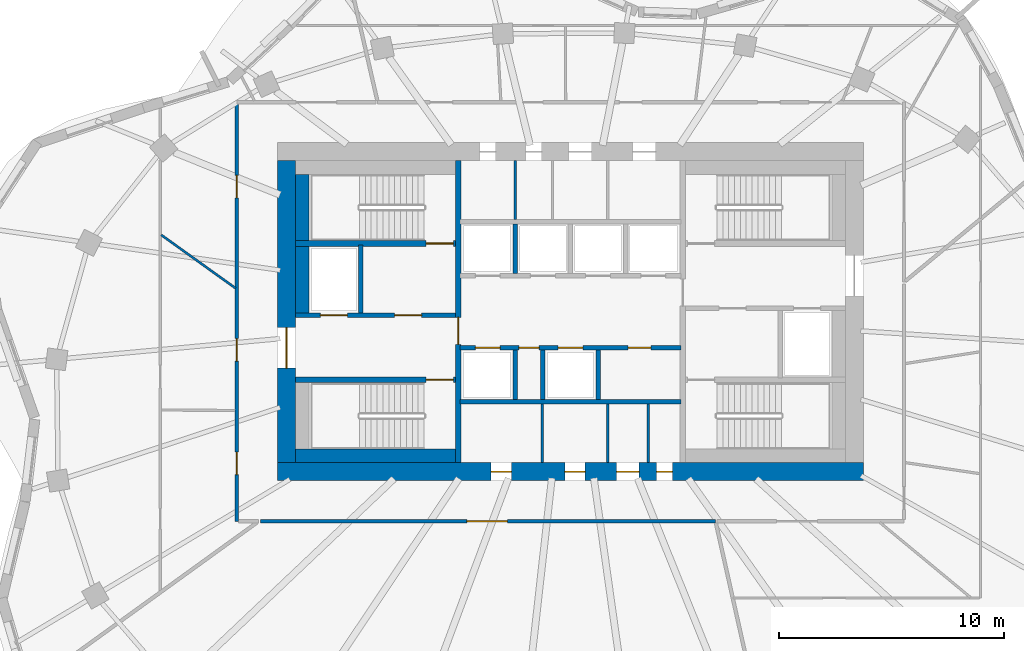
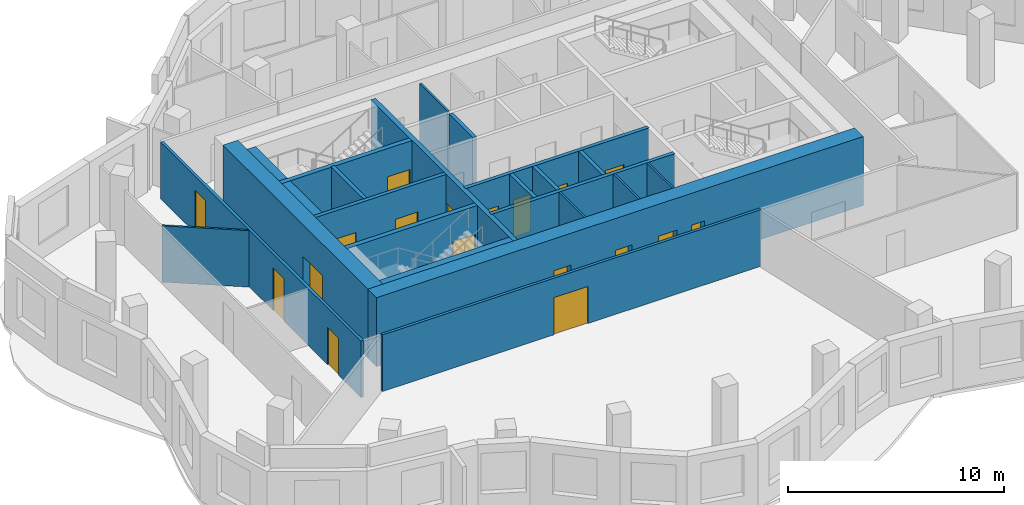
# One storey, part 4 of 9: 23 walls, 18 doors, 18 openings.
"""IFC4 building model written with IfcOpenShell, lengths in metres."""

import ifcopenshell
import ifcopenshell.guid

model = None  # the IFC model being written
_history = None  # IfcOwnerHistory: only IFC2X3 demands one
_inside = {}  # id of a spatial element -> (the spatial element, [elements in it])
_under = {}  # id of a project, library or spatial element -> (it, [spatial elements below it])
_declared = {}  # id of a project -> (the project, [libraries it declares])
_typed = {}  # id of a type object -> (the type object, [elements of that type])
_made_of = {}  # id of a material, layer set ... -> (it, [elements and type objects made of it])


def new_model(schema):
    """Start an empty IFC model of exactly this schema.

    Asked for "IFC4X3", IfcOpenShell would pick the latest addendum, in which some entities
    have other attributes; the version numbers below select the first issue.
    IFC2X3 requires an IfcOwnerHistory on every rooted entity: one is made here for all.
    """
    global model, _history
    if schema == "IFC4X3":
        model = ifcopenshell.file(schema_version=(4, 3, 0, 0))
    else:
        model = ifcopenshell.file(schema=schema)
    _inside.clear()
    _under.clear()
    _declared.clear()
    _typed.clear()
    _made_of.clear()
    _history = None
    if model.schema == "IFC2X3":
        org = make("IfcOrganization", Name="unknown")
        user = make(
            "IfcPersonAndOrganization",
            ThePerson=make("IfcPerson", FamilyName="unknown"),
            TheOrganization=org,
        )
        app = make(
            "IfcApplication",
            ApplicationDeveloper=org,
            Version="unknown",
            ApplicationFullName="unknown",
            ApplicationIdentifier="unknown",
        )
        _history = make(
            "IfcOwnerHistory",
            OwningUser=user,
            OwningApplication=app,
            ChangeAction="ADDED",
            CreationDate=0,
        )
    return model


def make(cls, **values):
    """One entity of the class cls with the attributes given. An attribute that is None is left unset."""
    return model.create_entity(
        cls, **{name: value for name, value in values.items() if value is not None}
    )


def rooted(cls, **values):
    """An entity with a GlobalId (a new one), such as an element, a storey or a relation."""
    return make(cls, GlobalId=ifcopenshell.guid.new(), OwnerHistory=_history, **values)


def si_unit(unit_type, name, prefix=None):
    """IfcSIUnit, for example si_unit("LENGTHUNIT", "METRE", prefix="MILLI")."""
    return make("IfcSIUnit", UnitType=unit_type, Prefix=prefix, Name=name)


def assignment(units):
    """IfcUnitAssignment: the units of a project."""
    return None if units is None else make("IfcUnitAssignment", Units=units)


def point(xyz):
    """IfcCartesianPoint."""
    return None if xyz is None else make("IfcCartesianPoint", Coordinates=xyz)


def direction(xyz):
    """IfcDirection."""
    return None if xyz is None else make("IfcDirection", DirectionRatios=xyz)


def frame(location, z_axis=None, x_axis=None):
    """IfcAxis2Placement3D, a coordinate frame: its origin and axes. An axis left out is left unset."""
    return make(
        "IfcAxis2Placement3D",
        Location=point(location),
        Axis=direction(z_axis),
        RefDirection=direction(x_axis),
    )


def frame_2d(location, x_axis=None):
    """IfcAxis2Placement2D, a coordinate frame in the plane: its origin and x axis."""
    return make(
        "IfcAxis2Placement2D", Location=point(location), RefDirection=direction(x_axis)
    )


def origin():
    """The frame at (0, 0, 0) with its axes left unset."""
    return frame((0.0, 0.0, 0.0))


def place(relative_to, where):
    """IfcLocalPlacement: puts the frame where relative to a parent placement (None: the world)."""
    return make(
        "IfcLocalPlacement", PlacementRelTo=relative_to, RelativePlacement=where
    )


def context(
    kind, dimensions, precision=None, world=None, true_north=None, identifier=None
):
    """IfcGeometricRepresentationContext, for example the 3D "Model" context."""
    return make(
        "IfcGeometricRepresentationContext",
        ContextIdentifier=identifier,
        ContextType=kind,
        CoordinateSpaceDimension=dimensions,
        Precision=precision,
        WorldCoordinateSystem=world,
        TrueNorth=true_north,
    )


def subcontext(parent, identifier, kind, view, scale=None):
    """IfcGeometricRepresentationSubContext, for example "Body" below "Model"."""
    return make(
        "IfcGeometricRepresentationSubContext",
        ContextIdentifier=identifier,
        ContextType=kind,
        ParentContext=parent,
        TargetScale=scale,
        TargetView=view,
    )


def project(units=None, contexts=None):
    """IfcProject with its units and contexts."""
    return rooted(
        "IfcProject",
        Name="project",
        RepresentationContexts=contexts,
        UnitsInContext=assignment(units),
    )


def spatial(cls, under=None, at=None, **own):
    """A site, building, storey or space (cls), placed at a placement, below another one or the project."""
    s = rooted(cls, ObjectPlacement=at, **own)
    if under is not None:
        _under.setdefault(under.id(), (under, []))[1].append(s)
    return s


def profile(cls, at=None, kind="AREA", **sizes):
    """A parametric profile (cls). Its sizes go by their IFC names, for example OverallWidth=200.0."""
    return make(cls, ProfileType=kind, Position=at, **sizes)


def rectangle(**sizes):
    """IfcRectangleProfileDef."""
    return profile("IfcRectangleProfileDef", **sizes)


def extrude(swept, where, along, depth):
    """IfcExtrudedAreaSolid: the profile swept, set in the frame where, extruded along a direction by depth."""
    return make(
        "IfcExtrudedAreaSolid",
        SweptArea=swept,
        Position=where,
        ExtrudedDirection=direction(along),
        Depth=depth,
    )


def shape(context_of_items, identifier, shape_type, items):
    """IfcShapeRepresentation: the items that make up one representation, for example the "Body"."""
    return make(
        "IfcShapeRepresentation",
        ContextOfItems=context_of_items,
        RepresentationIdentifier=identifier,
        RepresentationType=shape_type,
        Items=items,
    )


def material(Name=None, Category=None):
    """IfcMaterial."""
    return make("IfcMaterial", Name=Name, Category=Category)


def layer(
    of_material, thickness, ventilated=None, Name=None, Category=None, Priority=None
):
    """IfcMaterialLayer: one layer of a wall or slab, of a material (None: an air gap)."""
    return make(
        "IfcMaterialLayer",
        Material=of_material,
        LayerThickness=thickness,
        IsVentilated=ventilated,
        Name=Name,
        Category=Category,
        Priority=Priority,
    )


def layer_set(layers, Name=None):
    """IfcMaterialLayerSet."""
    return make("IfcMaterialLayerSet", MaterialLayers=layers, LayerSetName=Name)


def made_of(thing, what):
    """Note that an element or type object is made of a material, layer set ...; save() writes the relation."""
    if what is not None:
        _made_of.setdefault(what.id(), (what, []))[1].append(thing)
    return thing


def type_object(cls, material=None, **own):
    """A type object (cls), such as IfcWallType, which elements share."""
    return made_of(rooted(cls, **own), material)


def element(
    cls,
    number,
    at=None,
    inside=None,
    cuts=None,
    type_object=None,
    material=None,
    context=None,
    identifier="Body",
    shape_type=None,
    held_by="IfcProductDefinitionShape",
    body=None,
    shapes=None,
    **own,
):
    """One element of the class cls, such as IfcWall. Its Tag is "e" and its number.

    at: its placement. inside: the storey or other place that contains it. cuts: it is an
    opening in that element (IfcRelVoidsElement). A single representation is given by context,
    identifier, shape_type and body (its items); several are given by shapes. held_by: the class
    of the entity that holds the representations. save() writes the other relations.
    """
    e = rooted(cls, Tag="e%d" % number, ObjectPlacement=at, **own)
    if body is not None:
        shapes = [shape(context, identifier, shape_type, body)]
    if shapes is not None:
        e.Representation = make(held_by, Representations=shapes)
    if inside is not None:
        _inside.setdefault(inside.id(), (inside, []))[1].append(e)
    if cuts is not None:
        rooted(
            "IfcRelVoidsElement", RelatingBuildingElement=cuts, RelatedOpeningElement=e
        )
    if type_object is not None:
        _typed.setdefault(type_object.id(), (type_object, []))[1].append(e)
    return made_of(e, material)


def fill(opening, filler):
    """IfcRelFillsElement: the door or window that sits in an opening."""
    return rooted(
        "IfcRelFillsElement",
        RelatingOpeningElement=opening,
        RelatedBuildingElement=filler,
    )


def aggregate(whole, parts):
    """IfcRelAggregates: a whole, such as a stair, and the parts it consists of."""
    return rooted("IfcRelAggregates", RelatingObject=whole, RelatedObjects=parts)


def save(model, path):
    """Write the relations noted so far, then the file.

    IfcRelAggregates (storeys below a building ...), IfcRelContainedInSpatialStructure (elements
    in a storey), IfcRelDefinesByType, IfcRelAssociatesMaterial and IfcRelDeclares: one each for
    every whole, place, type object, material and project.
    """
    for whole, parts in _under.values():
        aggregate(whole, parts)
    for where, things in _inside.values():
        rooted(
            "IfcRelContainedInSpatialStructure",
            RelatedElements=things,
            RelatingStructure=where,
        )
    for kind, things in _typed.values():
        rooted("IfcRelDefinesByType", RelatedObjects=things, RelatingType=kind)
    for what, things in _made_of.values():
        rooted("IfcRelAssociatesMaterial", RelatedObjects=things, RelatingMaterial=what)
    for by, libraries in _declared.values():
        rooted("IfcRelDeclares", RelatingContext=by, RelatedDefinitions=libraries)
    model.write(path)


model = new_model("IFC4")

# Units and contexts
model_context = context("Model", 3, precision=1e-05, world=origin(), true_north=direction((0.0, 1.0)))
body_context = subcontext(model_context, "Body", "Model", "MODEL_VIEW")
ifc_project = project(units=[si_unit("LENGTHUNIT", "METRE"), si_unit("AREAUNIT", "SQUARE_METRE"), si_unit("VOLUMEUNIT", "CUBIC_METRE"), si_unit("PLANEANGLEUNIT", "RADIAN"), si_unit("MASSUNIT", "GRAM", prefix="KILO")], contexts=[model_context])

# Site, building, storey
site_placement = place(None, origin())
site = spatial("IfcSite", under=ifc_project, at=site_placement, CompositionType="ELEMENT")
building_placement = place(site_placement, origin())
building = spatial("IfcBuilding", under=site, at=building_placement, Name="Rubra Terraces Tower", CompositionType="ELEMENT")
storey_placement = place(building_placement, frame((0.0, 0.0, 272.699951171875)))
storey = spatial("IfcBuildingStorey", under=building, at=storey_placement, Name="L67", CompositionType="ELEMENT", Elevation=272.699951171875)

# Wall, openings, doors
ifc_material_1 = material(Name="Concrete C50", Category="concrete")
ifc_layer_1 = layer(ifc_material_1, 0.800048828125)
ifc_layer_set_1 = layer_set([ifc_layer_1], Name="Concrete C50")
wall_type_1 = type_object("IfcWallType", Name="CORE WALL 800 C50", PredefinedType="SHEAR", material=ifc_layer_set_1)
wall_1_placement = place(storey_placement, frame((-13.0, -2.60009765625, 0.0), z_axis=(0.0, 0.0, 1.0), x_axis=(1.0, 0.0, 0.0)))
wall_1 = element("IfcWall", 1, at=wall_1_placement, inside=storey, type_object=wall_type_1, Name="CORE WALL S L67", PredefinedType="SHEAR", context=body_context, shape_type="SweptSolid", body=[
    extrude(rectangle(XDim=26.0, YDim=0.800048828125, at=frame_2d((13.0, 0.0))), origin(), (0.0, 0.0, 1.0), 3.900146484375),
])
opening_1_placement = place(wall_1_placement, frame((9.47509765625, 0.0, 0.0)))
opening_1 = element("IfcOpeningElement", 2, at=opening_1_placement, cuts=wall_1, Name="Opening L67.C21", PredefinedType="OPENING", context=body_context, shape_type="SweptSolid", body=[
    extrude(rectangle(XDim=0.89990234375, YDim=2.10009765625, at=frame_2d((0.449951171875, 1.050048828125))), frame((0.0, 0.409912109375, 0.0), z_axis=(0.0, -1.0, 0.0), x_axis=(1.0, 0.0, 0.0)), (0.0, 0.0, 1.0), 0.820068359375),
])
opening_2_placement = place(wall_1_placement, frame((12.75, 0.0, 0.0)))
opening_2 = element("IfcOpeningElement", 3, at=opening_2_placement, cuts=wall_1, Name="Opening L67.C22", PredefinedType="OPENING", context=body_context, shape_type="SweptSolid", body=[
    extrude(rectangle(XDim=0.89990234375, YDim=2.10009765625, at=frame_2d((0.449951171875, 1.050048828125))), frame((0.0, 0.409912109375, 0.0), z_axis=(0.0, -1.0, 0.0), x_axis=(1.0, 0.0, 0.0)), (0.0, 0.0, 1.0), 0.820068359375),
])
opening_3_placement = place(wall_1_placement, frame((15.050048828125, 0.0, 0.0)))
opening_3 = element("IfcOpeningElement", 4, at=opening_3_placement, cuts=wall_1, Name="Opening L67.C23", PredefinedType="OPENING", context=body_context, shape_type="SweptSolid", body=[
    extrude(rectangle(XDim=1.0, YDim=2.10009765625, at=frame_2d((0.5, 1.050048828125))), frame((0.0, 0.409912109375, 0.0), z_axis=(0.0, -1.0, 0.0), x_axis=(1.0, 0.0, 0.0)), (0.0, 0.0, 1.0), 0.820068359375),
])
opening_4_placement = place(wall_1_placement, frame((16.824951171875, 0.0, 0.0)))
opening_4 = element("IfcOpeningElement", 5, at=opening_4_placement, cuts=wall_1, Name="Opening L67.C24", PredefinedType="OPENING", context=body_context, shape_type="SweptSolid", body=[
    extrude(rectangle(XDim=0.699951171875, YDim=2.10009765625, at=frame_2d((0.35009765625, 1.050048828125))), frame((0.0, 0.409912109375, 0.0), z_axis=(0.0, -1.0, 0.0), x_axis=(1.0, 0.0, 0.0)), (0.0, 0.0, 1.0), 0.820068359375),
])
ifc_material_2 = material(Name="Painted steel", Category="steel")
door_type_1 = type_object("IfcDoorType", Name="Fire door 1000x2100 single", OperationType="NOTDEFINED", PredefinedType="DOOR", material=ifc_material_2)
door_1_placement = place(opening_3_placement, origin())
door_1 = element("IfcDoor", 6, at=door_1_placement, inside=storey, type_object=door_type_1, Name="Accessible WC door", OperationType="SINGLE_SWING_LEFT", OverallHeight=2.10009765625, OverallWidth=1.0, PredefinedType="DOOR", context=body_context, shape_type="SweptSolid", body=[
    extrude(rectangle(XDim=1.0, YDim=2.10009765625, at=frame_2d((0.5, 1.050048828125))), frame((0.0, 0.02490234375, 0.0), z_axis=(0.0, -1.0, 0.0), x_axis=(1.0, 0.0, 0.0)), (0.0, 0.0, 1.0), 0.050048828125),
])
fill(opening_3, door_1)
door_type_2 = type_object("IfcDoorType", Name="Fire door 900x2100 single", OperationType="NOTDEFINED", PredefinedType="DOOR", material=ifc_material_2)
door_2_placement = place(opening_1_placement, origin())
door_2 = element("IfcDoor", 7, at=door_2_placement, inside=storey, type_object=door_type_2, Name="Ladies WC door", OperationType="SINGLE_SWING_LEFT", OverallHeight=2.10009765625, OverallWidth=0.89990234375, PredefinedType="DOOR", context=body_context, shape_type="SweptSolid", body=[
    extrude(rectangle(XDim=0.89990234375, YDim=2.10009765625, at=frame_2d((0.449951171875, 1.050048828125))), frame((0.0, 0.02490234375, 0.0), z_axis=(0.0, -1.0, 0.0), x_axis=(1.0, 0.0, 0.0)), (0.0, 0.0, 1.0), 0.050048828125),
])
fill(opening_1, door_2)
door_3_placement = place(opening_2_placement, origin())
door_3 = element("IfcDoor", 8, at=door_3_placement, inside=storey, type_object=door_type_2, Name="Gents WC door", OperationType="SINGLE_SWING_RIGHT", OverallHeight=2.10009765625, OverallWidth=0.89990234375, PredefinedType="DOOR", context=body_context, shape_type="SweptSolid", body=[
    extrude(rectangle(XDim=0.89990234375, YDim=2.10009765625, at=frame_2d((0.449951171875, 1.050048828125))), frame((0.0, 0.02490234375, 0.0), z_axis=(0.0, -1.0, 0.0), x_axis=(1.0, 0.0, 0.0)), (0.0, 0.0, 1.0), 0.050048828125),
])
fill(opening_2, door_3)
door_type_3 = type_object("IfcDoorType", Name="Riser access door 700x2100 single", OperationType="NOTDEFINED", PredefinedType="DOOR", material=ifc_material_2)
door_4_placement = place(opening_4_placement, origin())
door_4 = element("IfcDoor", 9, at=door_4_placement, inside=storey, type_object=door_type_3, Name="Electrical riser room door", OperationType="SINGLE_SWING_RIGHT", OverallHeight=2.10009765625, OverallWidth=0.699951171875, PredefinedType="DOOR", context=body_context, shape_type="SweptSolid", body=[
    extrude(rectangle(XDim=0.699951171875, YDim=2.10009765625, at=frame_2d((0.35009765625, 1.050048828125))), frame((0.0, 0.02490234375, 0.0), z_axis=(0.0, -1.0, 0.0), x_axis=(1.0, 0.0, 0.0)), (0.0, 0.0, 1.0), 0.050048828125),
])
fill(opening_4, door_4)

# Wall, opening, door
wall_2_placement = place(storey_placement, frame((-12.60009765625, -2.199951171875, 0.0), z_axis=(0.0, 0.0, 1.0), x_axis=(0.0, 1.0, 0.0)))
wall_2 = element("IfcWall", 10, at=wall_2_placement, inside=storey, type_object=wall_type_1, Name="CORE WALL W L67", PredefinedType="SHEAR", context=body_context, shape_type="SweptSolid", body=[
    extrude(rectangle(XDim=13.39990234375, YDim=0.800048828125, at=frame_2d((6.699951171875, 0.0))), origin(), (0.0, 0.0, 1.0), 3.900146484375),
])
opening_5_placement = place(wall_2_placement, frame((4.199951171875, 0.0, 0.0)))
opening_5 = element("IfcOpeningElement", 11, at=opening_5_placement, cuts=wall_2, Name="Opening L67.C01", PredefinedType="OPENING", context=body_context, shape_type="SweptSolid", body=[
    extrude(rectangle(XDim=1.800048828125, YDim=2.10009765625, at=frame_2d((0.89990234375, 1.050048828125))), frame((0.0, 0.409912109375, 0.0), z_axis=(0.0, -1.0, 0.0), x_axis=(1.0, 0.0, 0.0)), (0.0, 0.0, 1.0), 0.820068359375),
])
door_type_4 = type_object("IfcDoorType", Name="Fire door 1800x2100 double", OperationType="NOTDEFINED", PredefinedType="DOOR", material=ifc_material_2)
door_5_placement = place(opening_5_placement, origin())
door_5 = element("IfcDoor", 12, at=door_5_placement, inside=storey, type_object=door_type_4, Name="Core entrance door FF1", OperationType="DOUBLE_DOOR_SINGLE_SWING", OverallHeight=2.10009765625, OverallWidth=1.800048828125, PredefinedType="DOOR", context=body_context, shape_type="SweptSolid", body=[
    extrude(rectangle(XDim=1.800048828125, YDim=2.10009765625, at=frame_2d((0.89990234375, 1.050048828125))), frame((0.0, 0.02490234375, 0.0), z_axis=(0.0, -1.0, 0.0), x_axis=(1.0, 0.0, 0.0)), (0.0, 0.0, 1.0), 0.050048828125),
])
fill(opening_5, door_5)

# Wall, openings, doors
ifc_material_3 = material(Name="Plasterboard on steel stud, mineral wool infill", Category="steel")
ifc_layer_2 = layer(ifc_material_3, 0.14990234375)
ifc_layer_set_2 = layer_set([ifc_layer_2], Name="Plasterboard on steel stud, mineral wool infill")
wall_type_2 = type_object("IfcWallType", Name="CORRIDOR PARTITION 150", PredefinedType="PARTITIONING", material=ifc_layer_set_2)
wall_3_placement = place(storey_placement, frame((-14.800048828125, 13.72509765625, 0.0), z_axis=(0.0, 0.0, 1.0), x_axis=(0.0, -1.0, 0.0)))
wall_3 = element("IfcWall", 13, at=wall_3_placement, inside=storey, type_object=wall_type_2, Name="PARTITION", PredefinedType="PARTITIONING", context=body_context, shape_type="SweptSolid", body=[
    extrude(rectangle(XDim=18.525146484375, YDim=0.14990234375, at=frame_2d((9.2626953125, 0.0))), origin(), (0.0, 0.0, 1.0), 3.197998046875),
])
opening_6_placement = place(wall_3_placement, frame((3.1708984375, 0.0, 0.0)))
opening_6 = element("IfcOpeningElement", 14, at=opening_6_placement, cuts=wall_3, Name="Opening 67-108", PredefinedType="OPENING", context=body_context, shape_type="SweptSolid", body=[
    extrude(rectangle(XDim=1.0, YDim=2.39990234375, at=frame_2d((0.5, 1.199951171875))), frame((0.0, 0.0849609375, 0.0), z_axis=(0.0, -1.0, 0.0), x_axis=(1.0, 0.0, 0.0)), (0.0, 0.0, 1.0), 0.169921875),
])
opening_7_placement = place(wall_3_placement, frame((10.41796875, 0.0, 0.0)))
opening_7 = element("IfcOpeningElement", 15, at=opening_7_placement, cuts=wall_3, Name="Opening 67-109", PredefinedType="OPENING", context=body_context, shape_type="SweptSolid", body=[
    extrude(rectangle(XDim=1.0, YDim=2.39990234375, at=frame_2d((0.5, 1.199951171875))), frame((0.0, 0.0849609375, 0.0), z_axis=(0.0, -1.0, 0.0), x_axis=(1.0, 0.0, 0.0)), (0.0, 0.0, 1.0), 0.169921875),
])
opening_8_placement = place(wall_3_placement, frame((15.449951171875, 0.0, 0.0)))
opening_8 = element("IfcOpeningElement", 16, at=opening_8_placement, cuts=wall_3, Name="Opening 67-122", PredefinedType="OPENING", context=body_context, shape_type="SweptSolid", body=[
    extrude(rectangle(XDim=1.0, YDim=2.10009765625, at=frame_2d((0.5, 1.050048828125))), frame((0.0, 0.0849609375, 0.0), z_axis=(0.0, -1.0, 0.0), x_axis=(1.0, 0.0, 0.0)), (0.0, 0.0, 1.0), 0.169921875),
])
ifc_material_4 = material(Name="Glazed aluminium meeting door leaf", Category="aluminium")
door_type_5 = type_object("IfcDoorType", Name="MEETING ROOM GLAZED DOOR 1000 X 2400", OperationType="SINGLE_SWING_LEFT", PredefinedType="DOOR", material=ifc_material_4)
door_6_placement = place(opening_6_placement, origin())
door_6 = element("IfcDoor", 17, at=door_6_placement, inside=storey, type_object=door_type_5, Name="DOOR 67-108", OperationType="SINGLE_SWING_RIGHT", OverallHeight=2.39990234375, OverallWidth=1.0, PredefinedType="DOOR", context=body_context, shape_type="SweptSolid", body=[
    extrude(rectangle(XDim=1.0, YDim=2.39990234375, at=frame_2d((0.5, 1.199951171875))), frame((0.0, 0.02490234375, 0.0), z_axis=(0.0, -1.0, 0.0), x_axis=(1.0, 0.0, 0.0)), (0.0, 0.0, 1.0), 0.050048828125),
])
fill(opening_6, door_6)
door_7_placement = place(opening_7_placement, origin())
door_7 = element("IfcDoor", 18, at=door_7_placement, inside=storey, type_object=door_type_5, Name="DOOR 67-109", OperationType="SINGLE_SWING_RIGHT", OverallHeight=2.39990234375, OverallWidth=1.0, PredefinedType="DOOR", context=body_context, shape_type="SweptSolid", body=[
    extrude(rectangle(XDim=1.0, YDim=2.39990234375, at=frame_2d((0.5, 1.199951171875))), frame((0.0, 0.02490234375, 0.0), z_axis=(0.0, -1.0, 0.0), x_axis=(1.0, 0.0, 0.0)), (0.0, 0.0, 1.0), 0.050048828125),
])
fill(opening_7, door_7)
ifc_material_5 = material(Name="Painted timber door leaf", Category="wood")
door_type_6 = type_object("IfcDoorType", Name="ROOM DOOR 1000 X 2100", OperationType="SINGLE_SWING_LEFT", PredefinedType="DOOR", material=ifc_material_5)
door_8_placement = place(opening_8_placement, origin())
door_8 = element("IfcDoor", 19, at=door_8_placement, inside=storey, type_object=door_type_6, Name="DOOR 67-122", OperationType="SINGLE_SWING_RIGHT", OverallHeight=2.10009765625, OverallWidth=1.0, PredefinedType="DOOR", context=body_context, shape_type="SweptSolid", body=[
    extrude(rectangle(XDim=1.0, YDim=2.10009765625, at=frame_2d((0.5, 1.050048828125))), frame((0.0, 0.02490234375, 0.0), z_axis=(0.0, -1.0, 0.0), x_axis=(1.0, 0.0, 0.0)), (0.0, 0.0, 1.0), 0.050048828125),
])
fill(opening_8, door_8)

# Wall, opening, door
wall_4_placement = place(storey_placement, frame((-13.760498046875, -4.800048828125, 0.0), z_axis=(0.0, 0.0, 1.0), x_axis=(1.0, 0.0, 0.0)))
wall_4 = element("IfcWall", 20, at=wall_4_placement, inside=storey, type_object=wall_type_2, Name="PARTITION", PredefinedType="PARTITIONING", context=body_context, shape_type="SweptSolid", body=[
    extrude(rectangle(XDim=20.197021484375, YDim=0.14990234375, at=frame_2d((10.0986328125, 0.0))), origin(), (0.0, 0.0, 1.0), 3.197998046875),
])
opening_9_placement = place(wall_4_placement, frame((9.160888671875, 0.0, 0.0)))
opening_9 = element("IfcOpeningElement", 21, at=opening_9_placement, cuts=wall_4, Name="Opening 67-111", PredefinedType="OPENING", context=body_context, shape_type="SweptSolid", body=[
    extrude(rectangle(XDim=1.800048828125, YDim=2.10009765625, at=frame_2d((0.89990234375, 1.050048828125))), frame((0.0, 0.0849609375, 0.0), z_axis=(0.0, -1.0, 0.0), x_axis=(1.0, 0.0, 0.0)), (0.0, 0.0, 1.0), 0.169921875),
])
ifc_material_6 = material(Name="Painted timber door leaf, double", Category="wood")
door_type_7 = type_object("IfcDoorType", Name="ROOM DOUBLE DOOR 1800 X 2100", OperationType="DOUBLE_DOOR_SINGLE_SWING", PredefinedType="DOOR", material=ifc_material_6)
door_9_placement = place(opening_9_placement, origin())
door_9 = element("IfcDoor", 22, at=door_9_placement, inside=storey, type_object=door_type_7, Name="DOOR 67-111", OperationType="DOUBLE_DOOR_SINGLE_SWING", OverallHeight=2.10009765625, OverallWidth=1.800048828125, PredefinedType="DOOR", context=body_context, shape_type="SweptSolid", body=[
    extrude(rectangle(XDim=1.800048828125, YDim=2.10009765625, at=frame_2d((0.89990234375, 1.050048828125))), frame((0.0, 0.02490234375, 0.0), z_axis=(0.0, -1.0, 0.0), x_axis=(1.0, 0.0, 0.0)), (0.0, 0.0, 1.0), 0.050048828125),
])
fill(opening_9, door_9)

# Walls
ifc_material_7 = material(Name="Concrete C40", Category="concrete")
ifc_layer_3 = layer(ifc_material_7, 0.60009765625)
ifc_layer_set_3 = layer_set([ifc_layer_3], Name="Concrete C40")
wall_type_3 = type_object("IfcWallType", Name="Core lining wall 600 concrete", PredefinedType="SOLIDWALL", material=ifc_layer_set_3)
wall_5_placement = place(storey_placement, frame((-12.199951171875, -1.89990234375, 0.0), z_axis=(0.0, 0.0, 1.0), x_axis=(1.0, 0.0, 0.0)))
element("IfcWall", 23, at=wall_5_placement, inside=storey, type_object=wall_type_3, Name="CORE LINING WALL L67", PredefinedType="SOLIDWALL", context=body_context, shape_type="SweptSolid", body=[
    extrude(rectangle(XDim=7.099853515625, YDim=0.60009765625, at=frame_2d((3.5498046875, 0.0))), origin(), (0.0, 0.0, 1.0), 3.699951171875),
])
wall_6_placement = place(storey_placement, frame((-11.89990234375, 4.449951171875, 0.0), z_axis=(0.0, 0.0, 1.0), x_axis=(0.0, 1.0, 0.0)))
element("IfcWall", 24, at=wall_6_placement, inside=storey, type_object=wall_type_3, Name="CORE LINING WALL L67", PredefinedType="SOLIDWALL", context=body_context, shape_type="SweptSolid", body=[
    extrude(rectangle(XDim=3.0, YDim=0.60009765625, at=frame_2d((1.5, 0.0))), origin(), (0.0, 0.0, 1.0), 3.699951171875),
])
wall_7_placement = place(storey_placement, frame((-11.89990234375, 7.64990234375, 0.0), z_axis=(0.0, 0.0, 1.0), x_axis=(0.0, 1.0, 0.0)))
element("IfcWall", 25, at=wall_7_placement, inside=storey, type_object=wall_type_3, Name="CORE LINING WALL L67", PredefinedType="SOLIDWALL", context=body_context, shape_type="SweptSolid", body=[
    extrude(rectangle(XDim=2.9501953125, YDim=0.60009765625, at=frame_2d((1.47509765625, 0.0))), origin(), (0.0, 0.0, 1.0), 3.699951171875),
])

# Wall, openings, doors
ifc_material_8 = material(Name="Concrete C30", Category="concrete")
ifc_layer_4 = layer(ifc_material_8, 0.199951171875)
ifc_layer_set_4 = layer_set([ifc_layer_4], Name="Concrete C30")
wall_type_4 = type_object("IfcWallType", Name="Core wall 200 concrete", PredefinedType="SOLIDWALL", material=ifc_layer_set_4)
wall_8_placement = place(storey_placement, frame((-12.199951171875, 4.35009765625, 0.0), z_axis=(0.0, 0.0, 1.0), x_axis=(1.0, 0.0, 0.0)))
wall_8 = element("IfcWall", 26, at=wall_8_placement, inside=storey, type_object=wall_type_4, Name="STAIR WALL L67", PredefinedType="SOLIDWALL", context=body_context, shape_type="SweptSolid", body=[
    extrude(rectangle(XDim=7.099853515625, YDim=0.199951171875, at=frame_2d((3.5498046875, 0.0))), origin(), (0.0, 0.0, 1.0), 3.699951171875),
])
opening_10_placement = place(wall_8_placement, frame((4.39990234375, 0.0, 0.0)))
opening_10 = element("IfcOpeningElement", 27, at=opening_10_placement, cuts=wall_8, Name="Opening L67.C05", PredefinedType="OPENING", context=body_context, shape_type="SweptSolid", body=[
    extrude(rectangle(XDim=1.199951171875, YDim=2.10009765625, at=frame_2d((0.60009765625, 1.050048828125))), frame((0.0, 0.10986328125, 0.0), z_axis=(0.0, -1.0, 0.0), x_axis=(1.0, 0.0, 0.0)), (0.0, 0.0, 1.0), 0.219970703125),
])
opening_11_placement = place(wall_8_placement, frame((1.10009765625, 0.0, 0.0)))
opening_11 = element("IfcOpeningElement", 28, at=opening_11_placement, cuts=wall_8, Name="Opening L67.C11", PredefinedType="OPENING", context=body_context, shape_type="SweptSolid", body=[
    extrude(rectangle(XDim=1.199951171875, YDim=2.10009765625, at=frame_2d((0.60009765625, 1.050048828125))), frame((0.0, 0.10986328125, 0.0), z_axis=(0.0, -1.0, 0.0), x_axis=(1.0, 0.0, 0.0)), (0.0, 0.0, 1.0), 0.219970703125),
])
door_type_8 = type_object("IfcDoorType", Name="Fire door 1200x2100 single", OperationType="NOTDEFINED", PredefinedType="DOOR", material=ifc_material_2)
door_10_placement = place(opening_10_placement, origin())
door_10 = element("IfcDoor", 29, at=door_10_placement, inside=storey, type_object=door_type_8, Name="Stair vestibule door S2", OperationType="SINGLE_SWING_LEFT", OverallHeight=2.10009765625, OverallWidth=1.199951171875, PredefinedType="DOOR", context=body_context, shape_type="SweptSolid", body=[
    extrude(rectangle(XDim=1.199951171875, YDim=2.10009765625, at=frame_2d((0.60009765625, 1.050048828125))), frame((0.0, 0.02490234375, 0.0), z_axis=(0.0, -1.0, 0.0), x_axis=(1.0, 0.0, 0.0)), (0.0, 0.0, 1.0), 0.050048828125),
])
fill(opening_10, door_10)
ifc_material_9 = material(Name="Stainless steel", Category="steel")
door_type_9 = type_object("IfcDoorType", Name="Lift landing door 1200x2100", OperationType="NOTDEFINED", PredefinedType="DOOR", material=ifc_material_9)
door_11_placement = place(opening_11_placement, origin())
door_11 = element("IfcDoor", 30, at=door_11_placement, inside=storey, type_object=door_type_9, Name="Landing door FF1", OperationType="SLIDING_TO_RIGHT", OverallHeight=2.10009765625, OverallWidth=1.199951171875, PredefinedType="DOOR", context=body_context, shape_type="SweptSolid", body=[
    extrude(rectangle(XDim=1.199951171875, YDim=2.10009765625, at=frame_2d((0.60009765625, 1.050048828125))), frame((0.0, 0.02490234375, 0.0), z_axis=(0.0, -1.0, 0.0), x_axis=(1.0, 0.0, 0.0)), (0.0, 0.0, 1.0), 0.050048828125),
])
fill(opening_11, door_11)

# Walls
wall_9_placement = place(storey_placement, frame((-9.300048828125, 4.449951171875, 0.0), z_axis=(0.0, 0.0, 1.0), x_axis=(0.0, 1.0, 0.0)))
element("IfcWall", 31, at=wall_9_placement, inside=storey, type_object=wall_type_4, Name="STAIR WALL L67", PredefinedType="SOLIDWALL", context=body_context, shape_type="SweptSolid", body=[
    extrude(rectangle(XDim=3.0, YDim=0.199951171875, at=frame_2d((1.5, 0.0))), origin(), (0.0, 0.0, 1.0), 3.699951171875),
])
wall_10_placement = place(storey_placement, frame((-4.89990234375, 0.5, 0.0), z_axis=(0.0, 0.0, 1.0), x_axis=(1.0, 0.0, 0.0)))
element("IfcWall", 32, at=wall_10_placement, inside=storey, type_object=wall_type_4, Name="LIFT SHAFT WALL L67", PredefinedType="SOLIDWALL", context=body_context, shape_type="SweptSolid", body=[
    extrude(rectangle(XDim=9.7998046875, YDim=0.199951171875, at=frame_2d((4.89990234375, 0.0))), origin(), (0.0, 0.0, 1.0), 3.699951171875),
])

# Wall, openings, doors
wall_11_placement = place(storey_placement, frame((-4.89990234375, 2.89990234375, 0.0), z_axis=(0.0, 0.0, 1.0), x_axis=(1.0, 0.0, 0.0)))
wall_11 = element("IfcWall", 33, at=wall_11_placement, inside=storey, type_object=wall_type_4, Name="LIFT SHAFT WALL L67", PredefinedType="SOLIDWALL", context=body_context, shape_type="SweptSolid", body=[
    extrude(rectangle(XDim=9.7998046875, YDim=0.199951171875, at=frame_2d((4.89990234375, 0.0))), origin(), (0.0, 0.0, 1.0), 3.699951171875),
])
opening_12_placement = place(wall_11_placement, frame((0.675048828125, 0.0, 0.0)))
opening_12 = element("IfcOpeningElement", 34, at=opening_12_placement, cuts=wall_11, Name="Opening L67.C13", PredefinedType="OPENING", context=body_context, shape_type="SweptSolid", body=[
    extrude(rectangle(XDim=1.10009765625, YDim=2.10009765625, at=frame_2d((0.550048828125, 1.050048828125))), frame((0.0, 0.10986328125, 0.0), z_axis=(0.0, -1.0, 0.0), x_axis=(1.0, 0.0, 0.0)), (0.0, 0.0, 1.0), 0.219970703125),
])
opening_13_placement = place(wall_11_placement, frame((2.613037109375, 0.0, 0.0)))
opening_13 = element("IfcOpeningElement", 35, at=opening_13_placement, cuts=wall_11, Name="Opening L67.C14", PredefinedType="OPENING", context=body_context, shape_type="SweptSolid", body=[
    extrude(rectangle(XDim=0.89990234375, YDim=2.10009765625, at=frame_2d((0.449951171875, 1.050048828125))), frame((0.0, 0.10986328125, 0.0), z_axis=(0.0, -1.0, 0.0), x_axis=(1.0, 0.0, 0.0)), (0.0, 0.0, 1.0), 0.219970703125),
])
opening_14_placement = place(wall_11_placement, frame((4.35009765625, 0.0, 0.0)))
opening_14 = element("IfcOpeningElement", 36, at=opening_14_placement, cuts=wall_11, Name="Opening L67.C15", PredefinedType="OPENING", context=body_context, shape_type="SweptSolid", body=[
    extrude(rectangle(XDim=1.10009765625, YDim=2.10009765625, at=frame_2d((0.550048828125, 1.050048828125))), frame((0.0, 0.10986328125, 0.0), z_axis=(0.0, -1.0, 0.0), x_axis=(1.0, 0.0, 0.0)), (0.0, 0.0, 1.0), 0.219970703125),
])
opening_15_placement = place(wall_11_placement, frame((7.462890625, 0.0, 0.0)))
opening_15 = element("IfcOpeningElement", 37, at=opening_15_placement, cuts=wall_11, Name="Opening L67.C16", PredefinedType="OPENING", context=body_context, shape_type="SweptSolid", body=[
    extrude(rectangle(XDim=1.0, YDim=2.10009765625, at=frame_2d((0.5, 1.050048828125))), frame((0.0, 0.10986328125, 0.0), z_axis=(0.0, -1.0, 0.0), x_axis=(1.0, 0.0, 0.0)), (0.0, 0.0, 1.0), 0.219970703125),
])
door_12_placement = place(opening_15_placement, origin())
door_12 = element("IfcDoor", 38, at=door_12_placement, inside=storey, type_object=door_type_1, Name="Linen store door", OperationType="SINGLE_SWING_RIGHT", OverallHeight=2.10009765625, OverallWidth=1.0, PredefinedType="DOOR", context=body_context, shape_type="SweptSolid", body=[
    extrude(rectangle(XDim=1.0, YDim=2.10009765625, at=frame_2d((0.5, 1.050048828125))), frame((0.0, 0.02490234375, 0.0), z_axis=(0.0, -1.0, 0.0), x_axis=(1.0, 0.0, 0.0)), (0.0, 0.0, 1.0), 0.050048828125),
])
fill(opening_15, door_12)
door_13_placement = place(opening_13_placement, origin())
door_13 = element("IfcDoor", 39, at=door_13_placement, inside=storey, type_object=door_type_2, Name="Cleaner's store door", OperationType="SINGLE_SWING_RIGHT", OverallHeight=2.10009765625, OverallWidth=0.89990234375, PredefinedType="DOOR", context=body_context, shape_type="SweptSolid", body=[
    extrude(rectangle(XDim=0.89990234375, YDim=2.10009765625, at=frame_2d((0.449951171875, 1.050048828125))), frame((0.0, 0.02490234375, 0.0), z_axis=(0.0, -1.0, 0.0), x_axis=(1.0, 0.0, 0.0)), (0.0, 0.0, 1.0), 0.050048828125),
])
fill(opening_13, door_13)
door_type_10 = type_object("IfcDoorType", Name="Lift landing door 1100x2100", OperationType="NOTDEFINED", PredefinedType="DOOR", material=ifc_material_9)
door_14_placement = place(opening_12_placement, origin())
door_14 = element("IfcDoor", 40, at=door_14_placement, inside=storey, type_object=door_type_10, Name="Landing door HB1", OperationType="SLIDING_TO_RIGHT", OverallHeight=2.10009765625, OverallWidth=1.10009765625, PredefinedType="DOOR", context=body_context, shape_type="SweptSolid", body=[
    extrude(rectangle(XDim=1.10009765625, YDim=2.10009765625, at=frame_2d((0.550048828125, 1.050048828125))), frame((0.0, 0.02490234375, 0.0), z_axis=(0.0, -1.0, 0.0), x_axis=(1.0, 0.0, 0.0)), (0.0, 0.0, 1.0), 0.050048828125),
])
fill(opening_12, door_14)
door_15_placement = place(opening_14_placement, origin())
door_15 = element("IfcDoor", 41, at=door_15_placement, inside=storey, type_object=door_type_10, Name="Landing door HB2", OperationType="SLIDING_TO_LEFT", OverallHeight=2.10009765625, OverallWidth=1.10009765625, PredefinedType="DOOR", context=body_context, shape_type="SweptSolid", body=[
    extrude(rectangle(XDim=1.10009765625, YDim=2.10009765625, at=frame_2d((0.550048828125, 1.050048828125))), frame((0.0, 0.02490234375, 0.0), z_axis=(0.0, -1.0, 0.0), x_axis=(1.0, 0.0, 0.0)), (0.0, 0.0, 1.0), 0.050048828125),
])
fill(opening_14, door_15)

# Walls
for number, where, z_axis, x_axis, name in (
    (42, (-2.449951171875, 0.60009765625, 0.0), (0.0, 0.0, 1.0), (0.0, 1.0, 0.0), "LIFT SHAFT WALL L67"),
    (43, (-1.22509765625, 0.60009765625, 0.0), (0.0, 0.0, 1.0), (0.0, 1.0, 0.0), "LIFT SHAFT WALL L67"),
    (44, (1.22509765625, 0.60009765625, 0.0), (0.0, 0.0, 1.0), (0.0, 1.0, 0.0), "LIFT SHAFT WALL L67"),
    (45, (-2.449951171875, 6.199951171875, 0.0), (0.0, 0.0, 1.0), (0.0, 1.0, 0.0), "LIFT SHAFT WALL L67"),
):
    element("IfcWall", number, at=place(storey_placement, frame(where, z_axis=z_axis, x_axis=x_axis)), inside=storey, type_object=wall_type_4, Name=name, PredefinedType="SOLIDWALL", context=body_context, shape_type="SweptSolid", body=[
        extrude(rectangle(XDim=2.199951171875, YDim=0.199951171875, at=frame_2d((1.10009765625, 0.0))), origin(), (0.0, 0.0, 1.0), 3.699951171875),
    ])
ifc_material_10 = material(Name="Plasterboard on steel stud", Category="steel")
ifc_layer_5 = layer(ifc_material_10, 0.10009765625)
ifc_layer_set_5 = layer_set([ifc_layer_5], Name="Plasterboard on steel stud")
wall_type_5 = type_object("IfcWallType", Name="ROOM PARTITION 100", PredefinedType="PARTITIONING", material=ifc_layer_set_5)
wall_12_placement = place(storey_placement, frame((-14.861083984375, 5.54296875, 0.0), z_axis=(0.0, 0.0, 1.0), x_axis=(-0.812793388771, 0.582552063913, 0.0)))
element("IfcWall", 46, at=wall_12_placement, inside=storey, type_object=wall_type_5, Name="PARTITION", PredefinedType="PARTITIONING", context=body_context, shape_type="SweptSolid", body=[
    extrude(rectangle(XDim=4.05810546875, YDim=0.10009765625, at=frame_2d((2.029052734375, 0.0))), origin(), (0.0, 0.0, 1.0), 3.18408203125),
])
ifc_material_11 = material(Name="Blockwork", Category="masonry")
ifc_layer_6 = layer(ifc_material_11, 0.10009765625)
ifc_layer_set_6 = layer_set([ifc_layer_6], Name="Blockwork")
wall_type_6 = type_object("IfcWallType", Name="Service partition 100 blockwork", PredefinedType="PARTITIONING", material=ifc_layer_set_6)
for number, where, z_axis, x_axis, name in (
    (47, (-1.25, -2.199951171875, 0.0), (0.0, 0.0, 1.0), (0.0, 1.0, 0.0), "SERVICE ROOM PARTITION L67"),
    (48, (1.64990234375, -2.199951171875, 0.0), (0.0, 0.0, 1.0), (0.0, 1.0, 0.0), "SERVICE ROOM PARTITION L67"),
    (49, (3.449951171875, -2.199951171875, 0.0), (0.0, 0.0, 1.0), (0.0, 1.0, 0.0), "SERVICE ROOM PARTITION L67"),
    (50, (-2.449951171875, 8.60009765625, 0.0), (0.0, 0.0, 1.0), (0.0, 1.0, 0.0), "SERVICE ROOM PARTITION L67"),
):
    element("IfcWall", number, at=place(storey_placement, frame(where, z_axis=z_axis, x_axis=x_axis)), inside=storey, type_object=wall_type_6, Name=name, PredefinedType="PARTITIONING", context=body_context, shape_type="SweptSolid", body=[
        extrude(rectangle(XDim=2.599853515625, YDim=0.10009765625, at=frame_2d((1.2998046875, 0.0))), origin(), (0.0, 0.0, 1.0), 3.699951171875),
    ])

# Wall, opening, door
ifc_layer_7 = layer(ifc_material_7, 0.25)
ifc_layer_set_7 = layer_set([ifc_layer_7], Name="Concrete C40")
wall_type_7 = type_object("IfcWallType", Name="Stair enclosure wall 250 concrete", PredefinedType="SOLIDWALL", material=ifc_layer_set_7)
wall_13_placement = place(storey_placement, frame((-12.199951171875, 1.47509765625, 0.0), z_axis=(0.0, 0.0, 1.0), x_axis=(1.0, 0.0, 0.0)))
wall_13 = element("IfcWall", 51, at=wall_13_placement, inside=storey, type_object=wall_type_7, Name="STAIR WALL L67", PredefinedType="SOLIDWALL", context=body_context, shape_type="SweptSolid", body=[
    extrude(rectangle(XDim=7.099853515625, YDim=0.25, at=frame_2d((3.5498046875, 0.0))), origin(), (0.0, 0.0, 1.0), 3.699951171875),
])
opening_16_placement = place(wall_13_placement, frame((5.800048828125, 0.0, 0.0)))
opening_16 = element("IfcOpeningElement", 52, at=opening_16_placement, cuts=wall_13, Name="Opening L67.C07", PredefinedType="OPENING", context=body_context, shape_type="SweptSolid", body=[
    extrude(rectangle(XDim=1.199951171875, YDim=2.10009765625, at=frame_2d((0.60009765625, 1.050048828125))), frame((0.0, 0.135009765625, 0.0), z_axis=(0.0, -1.0, 0.0), x_axis=(1.0, 0.0, 0.0)), (0.0, 0.0, 1.0), 0.27001953125),
])
door_16_placement = place(opening_16_placement, origin())
door_16 = element("IfcDoor", 53, at=door_16_placement, inside=storey, type_object=door_type_8, Name="Stair door S1", OperationType="SINGLE_SWING_LEFT", OverallHeight=2.10009765625, OverallWidth=1.199951171875, PredefinedType="DOOR", context=body_context, shape_type="SweptSolid", body=[
    extrude(rectangle(XDim=1.199951171875, YDim=2.10009765625, at=frame_2d((0.60009765625, 1.050048828125))), frame((0.0, 0.02490234375, 0.0), z_axis=(0.0, -1.0, 0.0), x_axis=(1.0, 0.0, 0.0)), (0.0, 0.0, 1.0), 0.050048828125),
])
fill(opening_16, door_16)

wall_14_placement = place(storey_placement, frame((-12.199951171875, 7.52490234375, 0.0), z_axis=(0.0, 0.0, 1.0), x_axis=(1.0, 0.0, 0.0)))
wall_14 = element("IfcWall", 54, at=wall_14_placement, inside=storey, type_object=wall_type_7, Name="STAIR WALL L67", PredefinedType="SOLIDWALL", context=body_context, shape_type="SweptSolid", body=[
    extrude(rectangle(XDim=7.099853515625, YDim=0.25, at=frame_2d((3.5498046875, 0.0))), origin(), (0.0, 0.0, 1.0), 3.699951171875),
])
opening_17_placement = place(wall_14_placement, frame((5.800048828125, 0.0, 0.0)))
opening_17 = element("IfcOpeningElement", 55, at=opening_17_placement, cuts=wall_14, Name="Opening L67.C09", PredefinedType="OPENING", context=body_context, shape_type="SweptSolid", body=[
    extrude(rectangle(XDim=1.199951171875, YDim=2.10009765625, at=frame_2d((0.60009765625, 1.050048828125))), frame((0.0, 0.135009765625, 0.0), z_axis=(0.0, -1.0, 0.0), x_axis=(1.0, 0.0, 0.0)), (0.0, 0.0, 1.0), 0.27001953125),
])
door_17_placement = place(opening_17_placement, origin())
door_17 = element("IfcDoor", 56, at=door_17_placement, inside=storey, type_object=door_type_8, Name="Stair door S2", OperationType="SINGLE_SWING_LEFT", OverallHeight=2.10009765625, OverallWidth=1.199951171875, PredefinedType="DOOR", context=body_context, shape_type="SweptSolid", body=[
    extrude(rectangle(XDim=1.199951171875, YDim=2.10009765625, at=frame_2d((0.60009765625, 1.050048828125))), frame((0.0, 0.02490234375, 0.0), z_axis=(0.0, -1.0, 0.0), x_axis=(1.0, 0.0, 0.0)), (0.0, 0.0, 1.0), 0.050048828125),
])
fill(opening_17, door_17)

wall_15_placement = place(storey_placement, frame((-4.97509765625, -2.199951171875, 0.0), z_axis=(0.0, 0.0, 1.0), x_axis=(0.0, 1.0, 0.0)))
wall_15 = element("IfcWall", 57, at=wall_15_placement, inside=storey, type_object=wall_type_7, Name="CORE LOBBY WALL L67", PredefinedType="SOLIDWALL", context=body_context, shape_type="SweptSolid", body=[
    extrude(rectangle(XDim=13.39990234375, YDim=0.25, at=frame_2d((6.699951171875, 0.0))), origin(), (0.0, 0.0, 1.0), 3.699951171875),
])
opening_18_placement = place(wall_15_placement, frame((5.25, 0.0, 0.0)))
opening_18 = element("IfcOpeningElement", 58, at=opening_18_placement, cuts=wall_15, Name="Opening L67.C03", PredefinedType="OPENING", context=body_context, shape_type="SweptSolid", body=[
    extrude(rectangle(XDim=1.199951171875, YDim=2.10009765625, at=frame_2d((0.60009765625, 1.050048828125))), frame((0.0, 0.135009765625, 0.0), z_axis=(0.0, -1.0, 0.0), x_axis=(1.0, 0.0, 0.0)), (0.0, 0.0, 1.0), 0.27001953125),
])
door_18_placement = place(opening_18_placement, origin())
door_18 = element("IfcDoor", 59, at=door_18_placement, inside=storey, type_object=door_type_8, Name="Firefighting lobby door FF1", OperationType="SINGLE_SWING_LEFT", OverallHeight=2.10009765625, OverallWidth=1.199951171875, PredefinedType="DOOR", context=body_context, shape_type="SweptSolid", body=[
    extrude(rectangle(XDim=1.199951171875, YDim=2.10009765625, at=frame_2d((0.60009765625, 1.050048828125))), frame((0.0, 0.02490234375, 0.0), z_axis=(0.0, -1.0, 0.0), x_axis=(1.0, 0.0, 0.0)), (0.0, 0.0, 1.0), 0.050048828125),
])
fill(opening_18, door_18)

save(model, "model.ifc")
